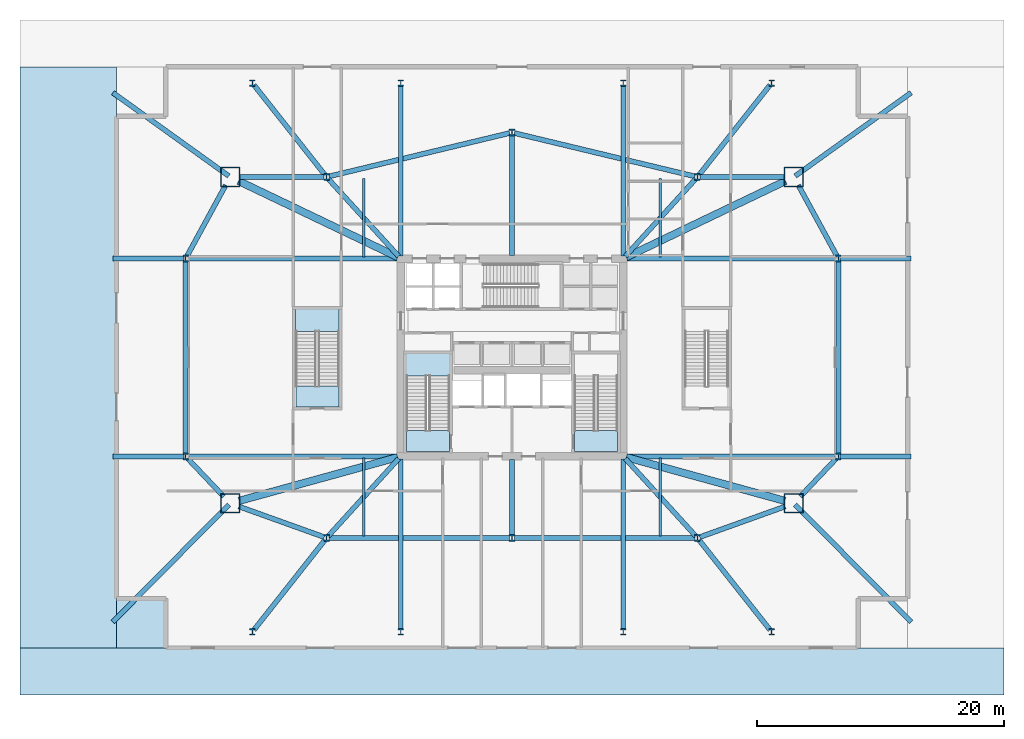
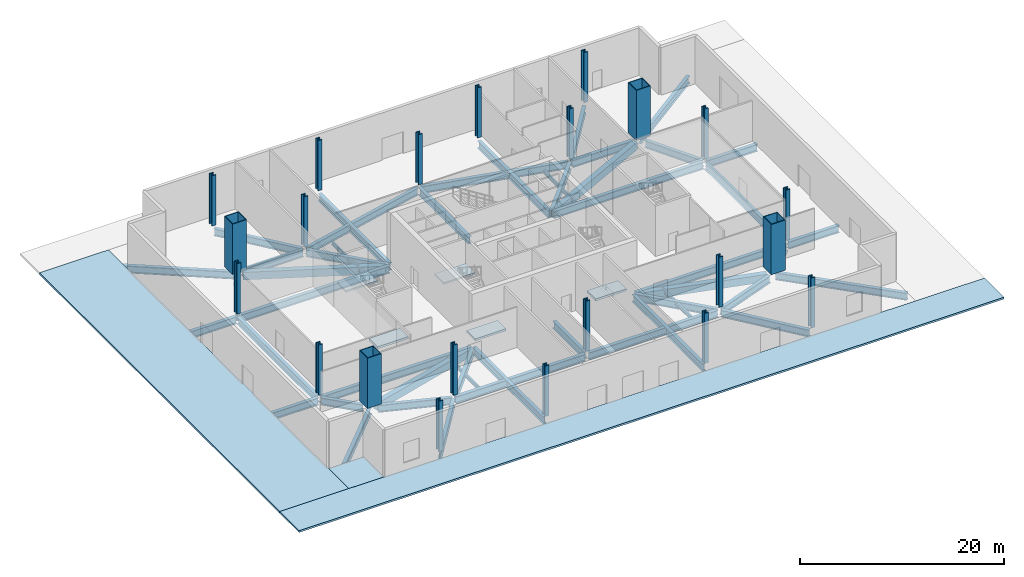
# One storey, part 1 of 10: 48 beams, 22 columns, 8 slabs, 2 elements without a shape of their own.
"""IFC4 building model written with IfcOpenShell, lengths in metres."""

from ifc_helpers import new_model, si_unit, direction, frame, origin, origin_2d, place, context, subcontext, project, spatial, polyline, rectangle, hollow_rectangle, i_section, outline, extrude, material, layer, layer_set, material_profile, profile_set, type_object, element, aggregate, save


model = new_model("IFC4")

# Units and contexts
model_context = context("Model", 3, precision=1e-05, world=origin(), true_north=direction((0.0, 1.0)))
body_context = subcontext(model_context, "Body", "Model", "MODEL_VIEW")
ifc_project = project(units=[si_unit("LENGTHUNIT", "METRE"), si_unit("AREAUNIT", "SQUARE_METRE"), si_unit("VOLUMEUNIT", "CUBIC_METRE"), si_unit("PLANEANGLEUNIT", "RADIAN"), si_unit("MASSUNIT", "GRAM", prefix="KILO")], contexts=[model_context])

# Site, building, storey
site_placement = place(None, origin())
site = spatial("IfcSite", under=ifc_project, at=site_placement, CompositionType="ELEMENT")
building_placement = place(site_placement, origin())
building = spatial("IfcBuilding", under=site, at=building_placement, Name="Haldenkirk Collegiate Tower", CompositionType="ELEMENT")
storey_placement = place(building_placement, origin())
storey = spatial("IfcBuildingStorey", under=building, at=storey_placement, Name="L00", CompositionType="ELEMENT", Elevation=0.0)

# Columns
ifc_material_1 = material(Name="Steel ASTM A913 Grade 65", Category="steel")
ifc_material_profile_1 = material_profile(ifc_material_1, i_section(OverallWidth=0.4541015625, OverallDepth=0.569091796875, WebThickness=0.077880859375, FlangeThickness=0.124755859375, at=origin_2d()), Name="W14X730")
ifc_profile_set_1 = profile_set([ifc_material_profile_1], Name="Steel ASTM A913 Grade 65")
column_type_1 = type_object("IfcColumnType", Name="COL-INT-W14X730", PredefinedType="COLUMN", material=ifc_profile_set_1)
for number, where, z_axis, x_axis, name in (
    (1, (9.60009765625, 18.0, 0.0), (0.0, 0.0, 1.0), (1.0, 0.0, 0.0), "L00 podium transfer support column PPC-W1"),
    (2, (9.60009765625, 34.0, 0.0), (0.0, 0.0, 1.0), (1.0, 0.0, 0.0), "L00 podium transfer support column PPC-W2"),
    (3, (62.39990234375, 18.0, 0.0), (0.0, 0.0, 1.0), (1.0, 0.0, 0.0), "L00 podium transfer support column PPC-E1"),
    (4, (62.39990234375, 34.0, 0.0), (0.0, 0.0, 1.0), (1.0, 0.0, 0.0), "L00 podium transfer support column PPC-E2"),
    (5, (21.0, 11.39990234375, 0.0), (0.0, 0.0, 1.0), (1.0, 0.0, 0.0), "L00 podium transfer support column PPC-S1"),
    (6, (51.0, 11.39990234375, 0.0), (0.0, 0.0, 1.0), (1.0, 0.0, 0.0), "L00 podium transfer support column PPC-S2"),
    (7, (21.0, 40.60009765625, 0.0), (0.0, 0.0, 1.0), (1.0, 0.0, 0.0), "L00 podium transfer support column PPC-N1"),
    (8, (51.0, 40.60009765625, 0.0), (0.0, 0.0, 1.0), (1.0, 0.0, 0.0), "L00 podium transfer support column PPC-N2"),
    (9, (36.0, 44.199951171875, 0.0), (0.0, 0.0, 1.0), (1.0, 0.0, 0.0), "L00 podium transfer support column PPC-N3"),
    (10, (36.0, 11.39990234375, 0.0), (0.0, 0.0, 1.0), (1.0, 0.0, 0.0), "L00 podium transfer support column PPC-S3"),
):
    element("IfcColumn", number, at=place(storey_placement, frame(where, z_axis=z_axis, x_axis=x_axis)), inside=storey, type_object=column_type_1, Name=name, PredefinedType="COLUMN", context=body_context, shape_type="SweptSolid", body=[
        extrude(i_section(OverallWidth=0.4541015625, OverallDepth=0.569091796875, WebThickness=0.077880859375, FlangeThickness=0.124755859375, at=origin_2d()), origin(), (0.0, 0.0, 1.0), 6.0),
    ])
ifc_material_profile_2 = material_profile(ifc_material_1, i_section(OverallWidth=0.44189453125, OverallDepth=0.531005859375, WebThickness=0.06591796875, FlangeThickness=0.105712890625, at=origin_2d()), Name="W14X605")
ifc_profile_set_2 = profile_set([ifc_material_profile_2], Name="Steel ASTM A913 Grade 65")
column_type_2 = type_object("IfcColumnType", Name="COL-PILASTER-W14X605", PredefinedType="PILASTER", material=ifc_profile_set_2)
for number, where, z_axis, x_axis, name in (
    (11, (15.0, 3.800048828125, 0.0), (0.0, 0.0, 1.0), (1.0, 0.0, 0.0), "L00 podium perimeter pilaster POC-S1"),
    (12, (27.0, 3.800048828125, 0.0), (0.0, 0.0, 1.0), (1.0, 0.0, 0.0), "L00 podium perimeter pilaster POC-S2"),
    (13, (45.0, 3.800048828125, 0.0), (0.0, 0.0, 1.0), (1.0, 0.0, 0.0), "L00 podium perimeter pilaster POC-S3"),
    (14, (57.0, 3.800048828125, 0.0), (0.0, 0.0, 1.0), (1.0, 0.0, 0.0), "L00 podium perimeter pilaster POC-S4"),
    (15, (57.0, 48.199951171875, 0.0), (0.0, 0.0, 1.0), (1.0, 0.0, 0.0), "L00 podium perimeter pilaster POC-N1"),
    (16, (45.0, 48.199951171875, 0.0), (0.0, 0.0, 1.0), (1.0, 0.0, 0.0), "L00 podium perimeter pilaster POC-N2"),
    (17, (27.0, 48.199951171875, 0.0), (0.0, 0.0, 1.0), (1.0, 0.0, 0.0), "L00 podium perimeter pilaster POC-N3"),
    (18, (15.0, 48.199951171875, 0.0), (0.0, 0.0, 1.0), (1.0, 0.0, 0.0), "L00 podium perimeter pilaster POC-N4"),
):
    element("IfcColumn", number, at=place(storey_placement, frame(where, z_axis=z_axis, x_axis=x_axis)), inside=storey, type_object=column_type_2, Name=name, PredefinedType="PILASTER", context=body_context, shape_type="SweptSolid", body=[
        extrude(i_section(OverallWidth=0.44189453125, OverallDepth=0.531005859375, WebThickness=0.06591796875, FlangeThickness=0.105712890625, at=origin_2d()), origin(), (0.0, 0.0, 1.0), 6.0),
    ])
ifc_material_2 = material(Name="Steel ASTM A572 Grade 50", Category="steel")
ifc_material_profile_3 = material_profile(ifc_material_2, hollow_rectangle(XDim=1.60009765625, YDim=1.60009765625, WallThickness=0.080078125, at=origin_2d()), Name="BOX1600X1600X80")
ifc_profile_set_3 = profile_set([ifc_material_profile_3], Name="Steel ASTM A572 Grade 50")
column_type_3 = type_object("IfcColumnType", Name="COL-PODMEGA-BOX1600", PredefinedType="COLUMN", material=ifc_profile_set_3)
for number, where, z_axis, x_axis, name in (
    (19, (13.199951171875, 14.199951171875, 0.0), (0.0, 0.0, 1.0), (1.0, 0.0, 0.0), "L00 podium mega-column PMC-SW"),
    (20, (58.800048828125, 14.199951171875, 0.0), (0.0, 0.0, 1.0), (1.0, 0.0, 0.0), "L00 podium mega-column PMC-SE"),
    (21, (58.800048828125, 40.60009765625, 0.0), (0.0, 0.0, 1.0), (1.0, 0.0, 0.0), "L00 podium mega-column PMC-NE"),
    (22, (13.199951171875, 40.60009765625, 0.0), (0.0, 0.0, 1.0), (1.0, 0.0, 0.0), "L00 podium mega-column PMC-NW"),
):
    element("IfcColumn", number, at=place(storey_placement, frame(where, z_axis=z_axis, x_axis=x_axis)), inside=storey, type_object=column_type_3, Name=name, PredefinedType="COLUMN", context=body_context, shape_type="SweptSolid", body=[
        extrude(hollow_rectangle(XDim=1.60009765625, YDim=1.60009765625, WallThickness=0.080078125, at=origin_2d()), origin(), (0.0, 0.0, 1.0), 6.0),
    ])

# Beams
ifc_material_3 = material(Name="Concrete f'c 55 MPa", Category="concrete")
ifc_material_profile_4 = material_profile(ifc_material_3, rectangle(XDim=0.60009765625, YDim=0.89990234375, at=origin_2d()), Name="RCBM600X900")
ifc_profile_set_4 = profile_set([ifc_material_profile_4], Name="Concrete f'c 55 MPa")
beam_type_1 = type_object("IfcBeamType", Name="BM-GIRDER-RCBM600X900", PredefinedType="BEAM", material=ifc_profile_set_4)
for number, where, z_axis, x_axis, name in (
    (23, (13.923095703125, 14.399169921875, -0.81005859375), (0.964118138457, 0.265473567606, 0.0), (-0.265473567606, 0.964118138457, 0.0), "L00 reinforced concrete tie girder 1"),
    (24, (58.076904296875, 14.399169921875, -0.81005859375), (-0.964118138457, 0.265473567606, 0.0), (-0.265473567606, -0.964118138457, 0.0), "L00 reinforced concrete tie girder 2"),
):
    element("IfcBeam", number, at=place(storey_placement, frame(where, z_axis=z_axis, x_axis=x_axis)), inside=storey, type_object=beam_type_1, Name=name, PredefinedType="BEAM", context=body_context, shape_type="SweptSolid", body=[
        extrude(rectangle(XDim=0.60009765625, YDim=0.89990234375, at=origin_2d()), origin(), (0.0, 0.0, 1.0), 13.313720703125),
    ])
for number, where, z_axis, x_axis, name in (
    (25, (58.123291015625, 40.2763671875, -0.81005859375), (-0.902134510622, -0.431454893058, 0.0), (0.431454893058, -0.902134510622, 0.0), "L00 reinforced concrete tie girder 3"),
    (26, (13.876708984375, 40.2763671875, -0.81005859375), (0.902134510622, -0.431454893058, 0.0), (0.431454893058, 0.902134510622, 0.0), "L00 reinforced concrete tie girder 4"),
):
    element("IfcBeam", number, at=place(storey_placement, frame(where, z_axis=z_axis, x_axis=x_axis)), inside=storey, type_object=beam_type_1, Name=name, PredefinedType="BEAM", context=body_context, shape_type="SweptSolid", body=[
        extrude(rectangle(XDim=0.60009765625, YDim=0.89990234375, at=origin_2d()), origin(), (0.0, 0.0, 1.0), 14.296875),
    ])
ifc_material_4 = material(Name="Steel ASTM A992 Grade 50", Category="steel")
ifc_material_profile_5 = material_profile(ifc_material_4, i_section(OverallWidth=0.39990234375, OverallDepth=0.862060546875, WebThickness=0.019775390625, FlangeThickness=0.032470703125, at=origin_2d()), Name="W33X221")
ifc_profile_set_5 = profile_set([ifc_material_profile_5], Name="Steel ASTM A992 Grade 50")
beam_type_2 = type_object("IfcBeamType", Name="BM-GIRDER-W33X221", PredefinedType="BEAM", material=ifc_profile_set_5)
beam_1_placement = place(storey_placement, frame((15.123779296875, 3.95703125, -0.791015625), z_axis=(0.619664797767, 0.784866573634, 0.0), x_axis=(-0.784866573634, 0.619664797767, 0.0)))
element("IfcBeam", 27, at=beam_1_placement, inside=storey, type_object=beam_type_2, Name="L00 outer podium tie girder 01", PredefinedType="BEAM", context=body_context, shape_type="SweptSolid", body=[
    extrude(i_section(OverallWidth=0.39990234375, OverallDepth=0.862060546875, WebThickness=0.019775390625, FlangeThickness=0.032470703125, at=origin_2d()), origin(), (0.0, 0.0, 1.0), 9.262939453125),
])
for number, where, z_axis, x_axis, name in (
    (28, (27.0, 4.0, -0.791015625), (0.0, 1.0, 0.0), (-1.0, 0.0, 0.0), "L00 outer podium tie girder 02"),
    (29, (45.0, 4.0, -0.791015625), (0.0, 1.0, 0.0), (-1.0, 0.0, 0.0), "L00 outer podium tie girder 03"),
):
    element("IfcBeam", number, at=place(storey_placement, frame(where, z_axis=z_axis, x_axis=x_axis)), inside=storey, type_object=beam_type_2, Name=name, PredefinedType="BEAM", context=body_context, shape_type="SweptSolid", body=[
        extrude(i_section(OverallWidth=0.39990234375, OverallDepth=0.862060546875, WebThickness=0.019775390625, FlangeThickness=0.032470703125, at=origin_2d()), origin(), (0.0, 0.0, 1.0), 13.780029296875),
    ])
for number, where, z_axis, x_axis, name in (
    (30, (56.876220703125, 3.95703125, -0.791015625), (-0.619664797767, 0.784866573634, 0.0), (-0.784866573634, -0.619664797767, 0.0), "L00 outer podium tie girder 04"),
    (31, (15.123779296875, 48.04296875, -0.791015625), (0.619664797767, -0.784866573634, 0.0), (0.784866573634, 0.619664797767, 0.0), "L00 outer podium tie girder 05"),
):
    element("IfcBeam", number, at=place(storey_placement, frame(where, z_axis=z_axis, x_axis=x_axis)), inside=storey, type_object=beam_type_2, Name=name, PredefinedType="BEAM", context=body_context, shape_type="SweptSolid", body=[
        extrude(i_section(OverallWidth=0.39990234375, OverallDepth=0.862060546875, WebThickness=0.019775390625, FlangeThickness=0.032470703125, at=origin_2d()), origin(), (0.0, 0.0, 1.0), 9.262939453125),
    ])
for number, where, z_axis, x_axis, name in (
    (32, (27.0, 48.0, -0.791015625), (0.0, -1.0, 0.0), (1.0, 0.0, 0.0), "L00 outer podium tie girder 06"),
    (33, (45.0, 48.0, -0.791015625), (0.0, -1.0, 0.0), (1.0, 0.0, 0.0), "L00 outer podium tie girder 07"),
):
    element("IfcBeam", number, at=place(storey_placement, frame(where, z_axis=z_axis, x_axis=x_axis)), inside=storey, type_object=beam_type_2, Name=name, PredefinedType="BEAM", context=body_context, shape_type="SweptSolid", body=[
        extrude(i_section(OverallWidth=0.39990234375, OverallDepth=0.862060546875, WebThickness=0.019775390625, FlangeThickness=0.032470703125, at=origin_2d()), origin(), (0.0, 0.0, 1.0), 13.780029296875),
    ])
beam_2_placement = place(storey_placement, frame((56.876220703125, 48.04296875, -0.791015625), z_axis=(-0.619664797767, -0.784866573634, 0.0), x_axis=(0.784866573634, -0.619664797767, 0.0)))
element("IfcBeam", 34, at=beam_2_placement, inside=storey, type_object=beam_type_2, Name="L00 outer podium tie girder 08", PredefinedType="BEAM", context=body_context, shape_type="SweptSolid", body=[
    extrude(i_section(OverallWidth=0.39990234375, OverallDepth=0.862060546875, WebThickness=0.019775390625, FlangeThickness=0.032470703125, at=origin_2d()), origin(), (0.0, 0.0, 1.0), 9.262939453125),
])
beam_3_placement = place(storey_placement, frame((3.698486328125, 4.599609375, -0.791015625), z_axis=(0.703435380498, 0.710759217642, 0.0), x_axis=(-0.710759217642, 0.703435380498, 0.0)))
element("IfcBeam", 35, at=beam_3_placement, inside=storey, type_object=beam_type_2, Name="L00 basement perimeter tie girder 01", PredefinedType="BEAM", context=body_context, shape_type="SweptSolid", body=[
    extrude(i_section(OverallWidth=0.39990234375, OverallDepth=0.862060546875, WebThickness=0.019775390625, FlangeThickness=0.032470703125, at=origin_2d()), origin(), (0.0, 0.0, 1.0), 13.367431640625),
])
for number, where, z_axis, x_axis, name in (
    (36, (3.739990234375, 18.0, -0.791015625), (1.0, 0.0, 0.0), (0.0, 1.0, 0.0), "L00 basement perimeter tie girder 02"),
    (37, (3.739990234375, 34.0, -0.791015625), (1.0, 0.0, 0.0), (0.0, 1.0, 0.0), "L00 basement perimeter tie girder 03"),
):
    element("IfcBeam", number, at=place(storey_placement, frame(where, z_axis=z_axis, x_axis=x_axis)), inside=storey, type_object=beam_type_2, Name=name, PredefinedType="BEAM", context=body_context, shape_type="SweptSolid", body=[
        extrude(i_section(OverallWidth=0.39990234375, OverallDepth=0.862060546875, WebThickness=0.019775390625, FlangeThickness=0.032470703125, at=origin_2d()), origin(), (0.0, 0.0, 1.0), 5.719970703125),
    ])
beam_4_placement = place(storey_placement, frame((3.713623046875, 47.418212890625, -0.791015625), z_axis=(0.812013491793, -0.583638663169, 0.0), x_axis=(0.583638663169, 0.812013491793, 0.0)))
element("IfcBeam", 38, at=beam_4_placement, inside=storey, type_object=beam_type_2, Name="L00 basement perimeter tie girder 04", PredefinedType="BEAM", context=body_context, shape_type="SweptSolid", body=[
    extrude(i_section(OverallWidth=0.39990234375, OverallDepth=0.862060546875, WebThickness=0.019775390625, FlangeThickness=0.032470703125, at=origin_2d()), origin(), (0.0, 0.0, 1.0), 11.54248046875),
])
beam_5_placement = place(storey_placement, frame((68.301513671875, 4.599609375, -0.791015625), z_axis=(-0.703435380498, 0.710759217642, 0.0), x_axis=(-0.710759217642, -0.703435380498, 0.0)))
element("IfcBeam", 39, at=beam_5_placement, inside=storey, type_object=beam_type_2, Name="L00 basement perimeter tie girder 05", PredefinedType="BEAM", context=body_context, shape_type="SweptSolid", body=[
    extrude(i_section(OverallWidth=0.39990234375, OverallDepth=0.862060546875, WebThickness=0.019775390625, FlangeThickness=0.032470703125, at=origin_2d()), origin(), (0.0, 0.0, 1.0), 13.367431640625),
])
for number, where, z_axis, x_axis, name in (
    (40, (68.260009765625, 18.0, -0.791015625), (-1.0, 0.0, 0.0), (0.0, -1.0, 0.0), "L00 basement perimeter tie girder 06"),
    (41, (68.260009765625, 34.0, -0.791015625), (-1.0, 0.0, 0.0), (0.0, -1.0, 0.0), "L00 basement perimeter tie girder 07"),
):
    element("IfcBeam", number, at=place(storey_placement, frame(where, z_axis=z_axis, x_axis=x_axis)), inside=storey, type_object=beam_type_2, Name=name, PredefinedType="BEAM", context=body_context, shape_type="SweptSolid", body=[
        extrude(i_section(OverallWidth=0.39990234375, OverallDepth=0.862060546875, WebThickness=0.019775390625, FlangeThickness=0.032470703125, at=origin_2d()), origin(), (0.0, 0.0, 1.0), 5.719970703125),
    ])
beam_6_placement = place(storey_placement, frame((68.286376953125, 47.418212890625, -0.791015625), z_axis=(-0.812013491793, -0.583638663169, 0.0), x_axis=(0.583638663169, -0.812013491793, 0.0)))
element("IfcBeam", 42, at=beam_6_placement, inside=storey, type_object=beam_type_2, Name="L00 basement perimeter tie girder 08", PredefinedType="BEAM", context=body_context, shape_type="SweptSolid", body=[
    extrude(i_section(OverallWidth=0.39990234375, OverallDepth=0.862060546875, WebThickness=0.019775390625, FlangeThickness=0.032470703125, at=origin_2d()), origin(), (0.0, 0.0, 1.0), 11.54248046875),
])
beam_7_placement = place(storey_placement, frame((13.906005859375, 13.946533203125, -0.791015625), z_axis=(0.941194128141, -0.337866265189, 0.0), x_axis=(0.337866265189, 0.941194128141, 0.0)))
element("IfcBeam", 43, at=beam_7_placement, inside=storey, type_object=beam_type_2, Name="L00 podium ring girder 01", PredefinedType="BEAM", context=body_context, shape_type="SweptSolid", body=[
    extrude(i_section(OverallWidth=0.39990234375, OverallDepth=0.862060546875, WebThickness=0.019775390625, FlangeThickness=0.032470703125, at=origin_2d()), origin(), (0.0, 0.0, 1.0), 7.337158203125),
])
for number, where, z_axis, x_axis, name in (
    (44, (21.199951171875, 11.39990234375, -0.791015625), (1.0, 0.0, 0.0), (0.0, 1.0, 0.0), "L00 podium ring girder 02"),
    (45, (36.199951171875, 11.39990234375, -0.791015625), (1.0, 0.0, 0.0), (0.0, 1.0, 0.0), "L00 podium ring girder 03"),
):
    element("IfcBeam", number, at=place(storey_placement, frame(where, z_axis=z_axis, x_axis=x_axis)), inside=storey, type_object=beam_type_2, Name=name, PredefinedType="BEAM", context=body_context, shape_type="SweptSolid", body=[
        extrude(i_section(OverallWidth=0.39990234375, OverallDepth=0.862060546875, WebThickness=0.019775390625, FlangeThickness=0.032470703125, at=origin_2d()), origin(), (0.0, 0.0, 1.0), 14.60009765625),
    ])
beam_8_placement = place(storey_placement, frame((51.188232421875, 11.467529296875, -0.791015625), z_axis=(0.941194128141, 0.337866265189, 0.0), x_axis=(-0.337866265189, 0.941194128141, 0.0)))
element("IfcBeam", 46, at=beam_8_placement, inside=storey, type_object=beam_type_2, Name="L00 podium ring girder 04", PredefinedType="BEAM", context=body_context, shape_type="SweptSolid", body=[
    extrude(i_section(OverallWidth=0.39990234375, OverallDepth=0.862060546875, WebThickness=0.019775390625, FlangeThickness=0.032470703125, at=origin_2d()), origin(), (0.0, 0.0, 1.0), 7.337158203125),
])
beam_9_placement = place(storey_placement, frame((59.31591796875, 14.744384765625, -0.791015625), z_axis=(0.687730422772, 0.725966160089, 0.0), x_axis=(-0.725966160089, 0.687730422772, 0.0)))
element("IfcBeam", 47, at=beam_9_placement, inside=storey, type_object=beam_type_2, Name="L00 podium ring girder 05", PredefinedType="BEAM", context=body_context, shape_type="SweptSolid", body=[
    extrude(i_section(OverallWidth=0.39990234375, OverallDepth=0.862060546875, WebThickness=0.019775390625, FlangeThickness=0.032470703125, at=origin_2d()), origin(), (0.0, 0.0, 1.0), 4.284423828125),
])
beam_10_placement = place(storey_placement, frame((62.39990234375, 18.199951171875, -0.791015625), z_axis=(0.0, 1.0, 0.0), x_axis=(-1.0, 0.0, 0.0)))
element("IfcBeam", 48, at=beam_10_placement, inside=storey, type_object=beam_type_2, Name="L00 podium ring girder 06", PredefinedType="BEAM", context=body_context, shape_type="SweptSolid", body=[
    extrude(i_section(OverallWidth=0.39990234375, OverallDepth=0.862060546875, WebThickness=0.019775390625, FlangeThickness=0.032470703125, at=origin_2d()), origin(), (0.0, 0.0, 1.0), 15.60009765625),
])
beam_11_placement = place(storey_placement, frame((62.30419921875, 34.175537109375, -0.791015625), z_axis=(-0.47883650459, 0.877904096056, 0.0), x_axis=(-0.877904096056, -0.47883650459, 0.0)))
element("IfcBeam", 49, at=beam_11_placement, inside=storey, type_object=beam_type_2, Name="L00 podium ring girder 07", PredefinedType="BEAM", context=body_context, shape_type="SweptSolid", body=[
    extrude(i_section(OverallWidth=0.39990234375, OverallDepth=0.862060546875, WebThickness=0.019775390625, FlangeThickness=0.032470703125, at=origin_2d()), origin(), (0.0, 0.0, 1.0), 6.568115234375),
])
beam_12_placement = place(storey_placement, frame((58.050048828125, 40.60009765625, -0.791015625), z_axis=(-1.0, 0.0, 0.0), x_axis=(0.0, -1.0, 0.0)))
element("IfcBeam", 50, at=beam_12_placement, inside=storey, type_object=beam_type_2, Name="L00 podium ring girder 08", PredefinedType="BEAM", context=body_context, shape_type="SweptSolid", body=[
    extrude(i_section(OverallWidth=0.39990234375, OverallDepth=0.862060546875, WebThickness=0.019775390625, FlangeThickness=0.032470703125, at=origin_2d()), origin(), (0.0, 0.0, 1.0), 6.85009765625),
])
for number, where, z_axis, x_axis, name in (
    (51, (50.805419921875, 40.646728515625, -0.791015625), (-0.972387449467, 0.233372337946, 0.0), (-0.233372337946, -0.972387449467, 0.0), "L00 podium ring girder 09"),
    (52, (35.805419921875, 44.1533203125, -0.791015625), (-0.972387449467, -0.233372337946, 0.0), (0.233372337946, -0.972387449467, 0.0), "L00 podium ring girder 10"),
):
    element("IfcBeam", number, at=place(storey_placement, frame(where, z_axis=z_axis, x_axis=x_axis)), inside=storey, type_object=beam_type_2, Name=name, PredefinedType="BEAM", context=body_context, shape_type="SweptSolid", body=[
        extrude(i_section(OverallWidth=0.39990234375, OverallDepth=0.862060546875, WebThickness=0.019775390625, FlangeThickness=0.032470703125, at=origin_2d()), origin(), (0.0, 0.0, 1.0), 15.025634765625),
    ])
beam_13_placement = place(storey_placement, frame((20.800048828125, 40.60009765625, -0.791015625), z_axis=(-1.0, 0.0, 0.0), x_axis=(0.0, -1.0, 0.0)))
element("IfcBeam", 53, at=beam_13_placement, inside=storey, type_object=beam_type_2, Name="L00 podium ring girder 11", PredefinedType="BEAM", context=body_context, shape_type="SweptSolid", body=[
    extrude(i_section(OverallWidth=0.39990234375, OverallDepth=0.862060546875, WebThickness=0.019775390625, FlangeThickness=0.032470703125, at=origin_2d()), origin(), (0.0, 0.0, 1.0), 6.85009765625),
])
beam_14_placement = place(storey_placement, frame((12.8408203125, 39.941650390625, -0.791015625), z_axis=(-0.47883650459, -0.877904096056, 0.0), x_axis=(0.877904096056, -0.47883650459, 0.0)))
element("IfcBeam", 54, at=beam_14_placement, inside=storey, type_object=beam_type_2, Name="L00 podium ring girder 12", PredefinedType="BEAM", context=body_context, shape_type="SweptSolid", body=[
    extrude(i_section(OverallWidth=0.39990234375, OverallDepth=0.862060546875, WebThickness=0.019775390625, FlangeThickness=0.032470703125, at=origin_2d()), origin(), (0.0, 0.0, 1.0), 6.568115234375),
])
beam_15_placement = place(storey_placement, frame((9.60009765625, 33.800048828125, -0.791015625), z_axis=(0.0, -1.0, 0.0), x_axis=(1.0, 0.0, 0.0)))
element("IfcBeam", 55, at=beam_15_placement, inside=storey, type_object=beam_type_2, Name="L00 podium ring girder 13", PredefinedType="BEAM", context=body_context, shape_type="SweptSolid", body=[
    extrude(i_section(OverallWidth=0.39990234375, OverallDepth=0.862060546875, WebThickness=0.019775390625, FlangeThickness=0.032470703125, at=origin_2d()), origin(), (0.0, 0.0, 1.0), 15.60009765625),
])
beam_16_placement = place(storey_placement, frame((9.737548828125, 17.854736328125, -0.791015625), z_axis=(0.687730422772, -0.725966160089, 0.0), x_axis=(0.725966160089, 0.687730422772, 0.0)))
element("IfcBeam", 56, at=beam_16_placement, inside=storey, type_object=beam_type_2, Name="L00 podium ring girder 14", PredefinedType="BEAM", context=body_context, shape_type="SweptSolid", body=[
    extrude(i_section(OverallWidth=0.39990234375, OverallDepth=0.862060546875, WebThickness=0.019775390625, FlangeThickness=0.032470703125, at=origin_2d()), origin(), (0.0, 0.0, 1.0), 4.284423828125),
])
for number, where, z_axis, x_axis, name in (
    (57, (9.800048828125, 18.0, -0.791015625), (1.0, 0.0, 0.0), (0.0, 1.0, 0.0), "L00 podium radial girder 01"),
    (58, (9.800048828125, 34.0, -0.791015625), (1.0, 0.0, 0.0), (0.0, 1.0, 0.0), "L00 podium radial girder 02"),
    (59, (62.199951171875, 18.0, -0.791015625), (-1.0, 0.0, 0.0), (0.0, -1.0, 0.0), "L00 podium radial girder 03"),
    (60, (62.199951171875, 34.0, -0.791015625), (-1.0, 0.0, 0.0), (0.0, -1.0, 0.0), "L00 podium radial girder 04"),
):
    element("IfcBeam", number, at=place(storey_placement, frame(where, z_axis=z_axis, x_axis=x_axis)), inside=storey, type_object=beam_type_2, Name=name, PredefinedType="BEAM", context=body_context, shape_type="SweptSolid", body=[
        extrude(i_section(OverallWidth=0.39990234375, OverallDepth=0.862060546875, WebThickness=0.019775390625, FlangeThickness=0.032470703125, at=origin_2d()), origin(), (0.0, 0.0, 1.0), 16.949951171875),
    ])
beam_17_placement = place(storey_placement, frame((36.0, 11.60009765625, -0.791015625), z_axis=(0.0, 1.0, 0.0), x_axis=(-1.0, 0.0, 0.0)))
element("IfcBeam", 61, at=beam_17_placement, inside=storey, type_object=beam_type_2, Name="L00 podium radial girder 05", PredefinedType="BEAM", context=body_context, shape_type="SweptSolid", body=[
    extrude(i_section(OverallWidth=0.39990234375, OverallDepth=0.862060546875, WebThickness=0.019775390625, FlangeThickness=0.032470703125, at=origin_2d()), origin(), (0.0, 0.0, 1.0), 6.14990234375),
])
beam_18_placement = place(storey_placement, frame((36.0, 44.0, -0.791015625), z_axis=(0.0, -1.0, 0.0), x_axis=(1.0, 0.0, 0.0)))
element("IfcBeam", 62, at=beam_18_placement, inside=storey, type_object=beam_type_2, Name="L00 podium radial girder 06", PredefinedType="BEAM", context=body_context, shape_type="SweptSolid", body=[
    extrude(i_section(OverallWidth=0.39990234375, OverallDepth=0.862060546875, WebThickness=0.019775390625, FlangeThickness=0.032470703125, at=origin_2d()), origin(), (0.0, 0.0, 1.0), 9.75),
])
for number, where, z_axis, x_axis, name in (
    (63, (21.134521484375, 11.548095703125, -0.791015625), (0.672681402593, 0.739932247307, 0.0), (-0.739932247307, 0.672681402593, 0.0), "L00 podium radial girder 07"),
    (64, (50.865478515625, 11.548095703125, -0.791015625), (-0.672681402593, 0.739932247307, 0.0), (-0.739932247307, -0.672681402593, 0.0), "L00 podium radial girder 08"),
    (65, (21.134521484375, 40.451904296875, -0.791015625), (0.672681402593, -0.739932247307, 0.0), (0.739932247307, 0.672681402593, 0.0), "L00 podium radial girder 09"),
    (66, (50.865478515625, 40.451904296875, -0.791015625), (-0.672681402593, -0.739932247307, 0.0), (0.739932247307, -0.672681402593, 0.0), "L00 podium radial girder 10"),
):
    element("IfcBeam", number, at=place(storey_placement, frame(where, z_axis=z_axis, x_axis=x_axis)), inside=storey, type_object=beam_type_2, Name=name, PredefinedType="BEAM", context=body_context, shape_type="SweptSolid", body=[
        extrude(i_section(OverallWidth=0.39990234375, OverallDepth=0.862060546875, WebThickness=0.019775390625, FlangeThickness=0.032470703125, at=origin_2d()), origin(), (0.0, 0.0, 1.0), 8.469482421875),
    ])
ifc_material_profile_6 = material_profile(ifc_material_4, i_section(OverallWidth=0.19189453125, OverallDepth=0.462890625, WebThickness=0.010498046875, FlangeThickness=0.017578125, at=origin_2d()), Name="W18X60")
ifc_profile_set_6 = profile_set([ifc_material_profile_6], Name="Steel ASTM A992 Grade 50")
beam_type_3 = type_object("IfcBeamType", Name="BM-JOIST-W18X60", PredefinedType="JOIST", material=ifc_profile_set_6)
for number, where, z_axis, x_axis, name in (
    (67, (24.0, 11.5400390625, -0.591552734375), (0.0, 1.0, 0.0), (-1.0, 0.0, 0.0), "L00 south bay floor joist 1"),
    (68, (24.0, 34.139892578125, -0.591552734375), (0.0, 1.0, 0.0), (-1.0, 0.0, 0.0), "L00 north bay floor joist 1"),
    (69, (48.0, 11.5400390625, -0.591552734375), (0.0, 1.0, 0.0), (-1.0, 0.0, 0.0), "L00 south bay floor joist 2"),
    (70, (48.0, 34.139892578125, -0.591552734375), (0.0, 1.0, 0.0), (-1.0, 0.0, 0.0), "L00 north bay floor joist 2"),
):
    element("IfcBeam", number, at=place(storey_placement, frame(where, z_axis=z_axis, x_axis=x_axis)), inside=storey, type_object=beam_type_3, Name=name, PredefinedType="JOIST", context=body_context, shape_type="SweptSolid", body=[
        extrude(i_section(OverallWidth=0.19189453125, OverallDepth=0.462890625, WebThickness=0.010498046875, FlangeThickness=0.017578125, at=origin_2d()), origin(), (0.0, 0.0, 1.0), 6.320068359375),
    ])

# Stair, slab
ifc_material_5 = material(Name="Concrete f'c 40 MPa", Category="concrete")
stair_type = type_object("IfcStairType", Name="STR-DOGLEG-1650", PredefinedType="HALF_TURN_STAIR", material=ifc_material_5)
stair_1_placement = place(storey_placement, origin())
stair_1 = element("IfcStair", 71, at=stair_1_placement, inside=storey, type_object=stair_type, Name="L00 Core Exit Stair ST-1", PredefinedType="HALF_TURN_STAIR")
ifc_layer_1 = layer(ifc_material_5, 0.199951171875)
ifc_layer_set_1 = layer_set([ifc_layer_1], Name="Concrete f'c 40 MPa")
slab_type_1 = type_object("IfcSlabType", Name="SLB-LANDING-200", PredefinedType="LANDING", material=ifc_layer_set_1)
slab_1_placement = place(storey_placement, frame((0.0, 0.0, 2.800048828125)))
slab_1 = element("IfcSlab", 72, at=slab_1_placement, type_object=slab_type_1, Name="ST-1 landing 1", PredefinedType="LANDING", context=body_context, shape_type="SweptSolid", body=[
    extrude(outline(polyline([(30.97509765625, 24.5048828125), (27.425048828125, 24.5048828125), (27.425048828125, 26.324951171875), (30.97509765625, 26.324951171875), (30.97509765625, 24.5048828125)])), origin(), (0.0, 0.0, 1.0), 0.199951171875),
])
aggregate(stair_1, [slab_1])

stair_2_placement = place(storey_placement, origin())
stair_2 = element("IfcStair", 73, at=stair_2_placement, inside=storey, type_object=stair_type, Name="L00 Podium Exit Stair ST-4", PredefinedType="HALF_TURN_STAIR")
slab_2_placement = place(storey_placement, frame((0.0, 0.0, 2.800048828125)))
slab_2 = element("IfcSlab", 74, at=slab_2_placement, type_object=slab_type_1, Name="ST-4 landing 1", PredefinedType="LANDING", context=body_context, shape_type="SweptSolid", body=[
    extrude(outline(polyline([(22.02490234375, 28.10498046875), (18.47509765625, 28.10498046875), (18.47509765625, 29.925048828125), (22.02490234375, 29.925048828125), (22.02490234375, 28.10498046875)])), origin(), (0.0, 0.0, 1.0), 0.199951171875),
])
aggregate(stair_2, [slab_2])

# Slabs
ifc_material_6 = material(Name="Flamed granite plaza paving", Category="masonry")
ifc_layer_2 = layer(ifc_material_6, 0.219970703125)
ifc_layer_set_2 = layer_set([ifc_layer_2], Name="Flamed granite plaza paving")
slab_type_2 = type_object("IfcSlabType", Name="SLB-PLAZA-220", PredefinedType="USERDEFINED", material=ifc_layer_set_2)
slab_3_placement = place(storey_placement, frame((0.0, 0.0, -0.219970703125)))
element("IfcSlab", 75, at=slab_3_placement, inside=storey, type_object=slab_type_2, Name="L00 campus garden plaza paving PLAZA-S", ObjectType="PAVING", PredefinedType="USERDEFINED", context=body_context, shape_type="SweptSolid", body=[
    extrude(outline(polyline([(-3.800048828125, -1.300048828125), (75.800048828125, -1.300048828125), (75.800048828125, 2.5), (-3.800048828125, 2.5), (-3.800048828125, -1.300048828125)])), origin(), (0.0, 0.0, 1.0), 0.219970703125),
])
slab_4_placement = place(storey_placement, frame((0.0, 0.0, -0.219970703125)))
element("IfcSlab", 76, at=slab_4_placement, inside=storey, type_object=slab_type_2, Name="L00 campus garden plaza paving PLAZA-W", ObjectType="PAVING", PredefinedType="USERDEFINED", context=body_context, shape_type="SweptSolid", body=[
    extrude(outline(polyline([(-3.800048828125, 2.5), (4.0, 2.5), (4.0, 49.5), (-3.800048828125, 49.5), (-3.800048828125, 2.5)])), origin(), (0.0, 0.0, 1.0), 0.219970703125),
])
slab_5_placement = place(storey_placement, frame((0.0, 0.0, -0.219970703125)))
element("IfcSlab", 77, at=slab_5_placement, inside=storey, type_object=slab_type_2, Name="L00 campus garden plaza paving PLAZA-CSW", ObjectType="PAVING", PredefinedType="USERDEFINED", context=body_context, shape_type="SweptSolid", body=[
    extrude(outline(polyline([(4.0, 2.5), (8.0, 2.5), (8.0, 6.5), (4.0, 6.5), (4.0, 2.5)])), origin(), (0.0, 0.0, 1.0), 0.219970703125),
])
ifc_layer_3 = layer(ifc_material_5, 0.25)
ifc_layer_set_3 = layer_set([ifc_layer_3], Name="Concrete f'c 40 MPa")
slab_type_3 = type_object("IfcSlabType", Name="SLB-STAIRLAND-250", PredefinedType="LANDING", material=ifc_layer_set_3)
slab_6_placement = place(storey_placement, frame((0.0, 0.0, -0.25)))
element("IfcSlab", 78, at=slab_6_placement, inside=storey, type_object=slab_type_3, Name="L00 stair ST1 structural floor landing slab", PredefinedType="LANDING", context=body_context, shape_type="SweptSolid", body=[
    extrude(outline(polyline([(27.4599609375, 18.409912109375), (30.93994140625, 18.409912109375), (30.93994140625, 20.080078125), (27.4599609375, 20.080078125), (27.4599609375, 18.409912109375)])), origin(), (0.0, 0.0, 1.0), 0.25),
])
slab_7_placement = place(storey_placement, frame((0.0, 0.0, -0.25)))
element("IfcSlab", 79, at=slab_7_placement, inside=storey, type_object=slab_type_3, Name="L00 stair ST2 structural floor landing slab", PredefinedType="LANDING", context=body_context, shape_type="SweptSolid", body=[
    extrude(outline(polyline([(41.06005859375, 18.409912109375), (44.5400390625, 18.409912109375), (44.5400390625, 20.080078125), (41.06005859375, 20.080078125), (41.06005859375, 18.409912109375)])), origin(), (0.0, 0.0, 1.0), 0.25),
])
slab_8_placement = place(storey_placement, frame((0.0, 0.0, -0.25)))
element("IfcSlab", 80, at=slab_8_placement, inside=storey, type_object=slab_type_3, Name="L00 stair ST4 structural floor landing slab", PredefinedType="LANDING", context=body_context, shape_type="SweptSolid", body=[
    extrude(outline(polyline([(18.510009765625, 22.010009765625), (21.989990234375, 22.010009765625), (21.989990234375, 23.679931640625), (18.510009765625, 23.679931640625), (18.510009765625, 22.010009765625)])), origin(), (0.0, 0.0, 1.0), 0.25),
])

save(model, "model.ifc")
